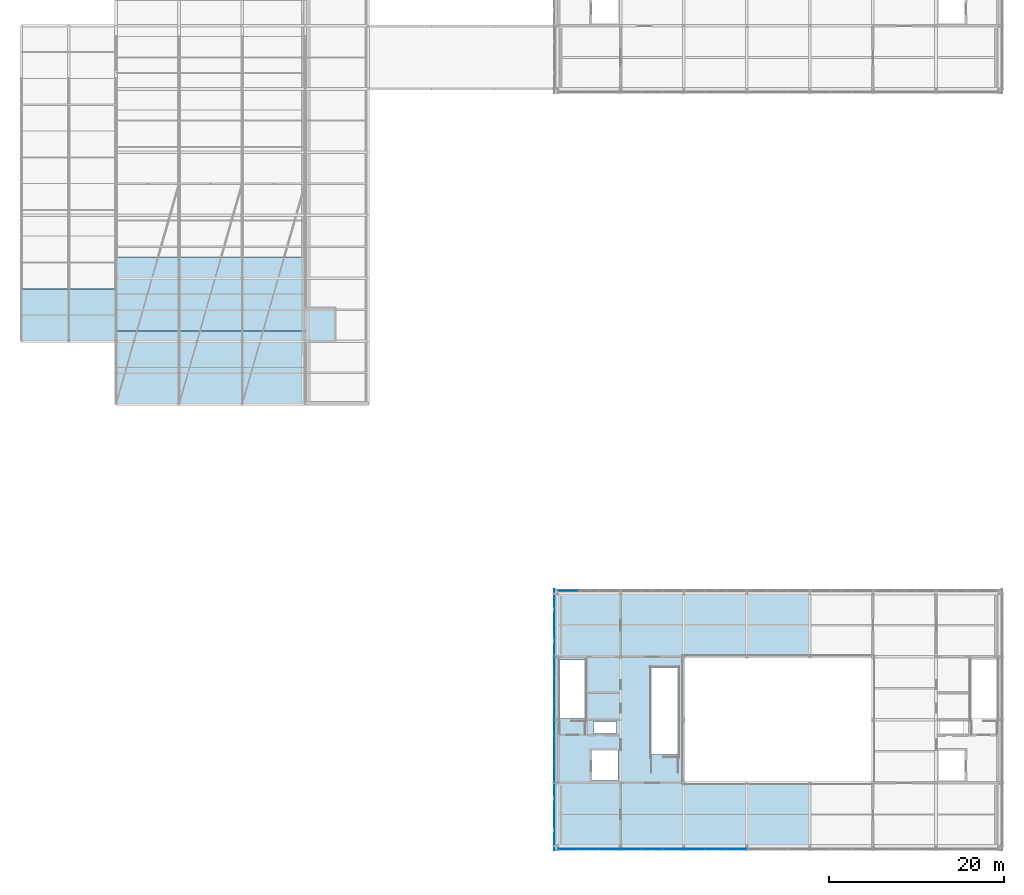
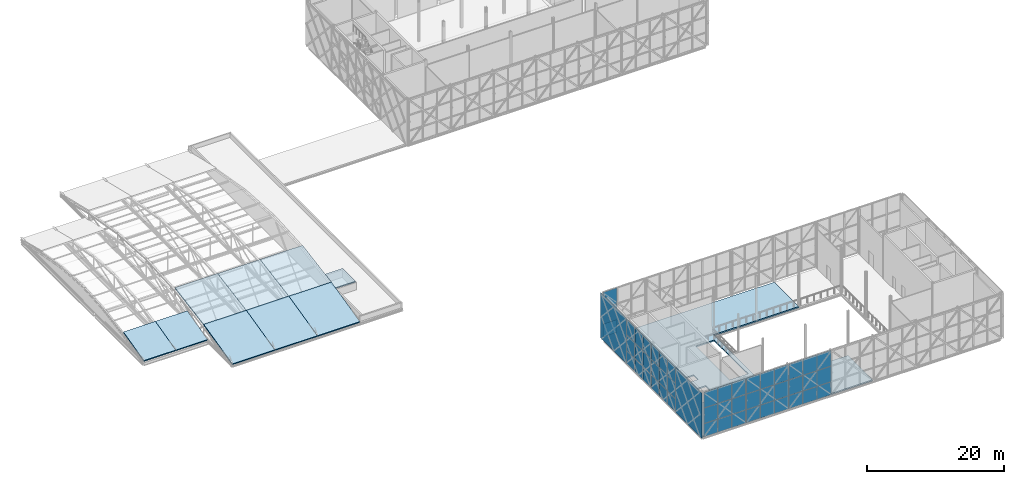
# One storey, part 53 of 76: 50 plates, 10 slabs, 6 elements without a shape of their own.
"""IFC4 building model written with IfcOpenShell, lengths in metres."""

from ifc_helpers import new_model, si_unit, direction, frame, origin, origin_2d, place, context, subcontext, project, spatial, polyline, rectangle, outline, extrude, material, layer, layer_set, type_object, element, aggregate, save


model = new_model("IFC4")

# Units and contexts
model_context = context("Model", 3, precision=1e-05, world=origin(), true_north=direction((0.0, 1.0)))
body_context = subcontext(model_context, "Body", "Model", "MODEL_VIEW")
ifc_project = project(units=[si_unit("LENGTHUNIT", "METRE"), si_unit("AREAUNIT", "SQUARE_METRE"), si_unit("VOLUMEUNIT", "CUBIC_METRE"), si_unit("PLANEANGLEUNIT", "RADIAN"), si_unit("MASSUNIT", "GRAM", prefix="KILO")], contexts=[model_context])

# Site, building, storey
site_placement = place(None, origin())
site = spatial("IfcSite", under=ifc_project, at=site_placement, CompositionType="ELEMENT")
building_placement = place(site_placement, origin())
building = spatial("IfcBuilding", under=site, at=building_placement, Name="Zlatovets Crest Museum", CompositionType="ELEMENT")
storey_placement = place(building_placement, frame((0.0, 0.0, 17.10009765625)))
storey = spatial("IfcBuildingStorey", under=building, at=storey_placement, Name="L04", CompositionType="ELEMENT", Elevation=17.10009765625)

# Curtain wall, plates
ifc_material_1 = material(Name="Bronze-anodised aluminium and low-E triple glass", Category="aluminium")
curtain_wall_type_1 = type_object("IfcCurtainWallType", Name="CW_CW-V2-L04-M0", PredefinedType="NOTDEFINED", material=ifc_material_1)
curtain_wall_1_placement = place(storey_placement, origin())
curtain_wall_1 = element("IfcCurtainWall", 1, at=curtain_wall_1_placement, inside=storey, type_object=curtain_wall_type_1, Name="V2 L04 Secession Foyer Clear Curtain Wall", PredefinedType="NOTDEFINED")
ifc_material_2 = material(Name="Solar-control low-E laminated triple glass", Category="glass")
ifc_layer_1 = layer(ifc_material_2, 0.028076171875)
ifc_layer_set_1 = layer_set([ifc_layer_1], Name="Solar-control low-E laminated triple glass")
plate_type_1 = type_object("IfcPlateType", Name="CWPanel_CW-V2-L04-M0", PredefinedType="CURTAIN_PANEL", material=ifc_layer_set_1)
plate_1_placement = place(storey_placement, frame((58.81494140625, -0.340087890625, 0.059814453125), z_axis=(0.0, 0.0, 1.0), x_axis=(1.0, 0.0, 0.0)))
plate_1 = element("IfcPlate", 2, at=plate_1_placement, type_object=plate_type_1, Name="CW-V2-L04-M0 panel 1.1", PredefinedType="CURTAIN_PANEL", context=body_context, shape_type="SweptSolid", body=[
    extrude(rectangle(XDim=2.31005859375, YDim=0.028076171875, at=origin_2d()), origin(), (0.0, 0.0, 1.0), 2.31005859375),
])
plate_2_placement = place(storey_placement, frame((58.81494140625, -0.340087890625, 2.4296875), z_axis=(0.0, 0.0, 1.0), x_axis=(1.0, 0.0, 0.0)))
plate_2 = element("IfcPlate", 3, at=plate_2_placement, type_object=plate_type_1, Name="CW-V2-L04-M0 panel 1.2", PredefinedType="CURTAIN_PANEL", context=body_context, shape_type="SweptSolid", body=[
    extrude(rectangle(XDim=2.31005859375, YDim=0.028076171875, at=origin_2d()), origin(), (0.0, 0.0, 1.0), 2.739990234375),
])
plate_3_placement = place(storey_placement, frame((58.81494140625, -0.340087890625, 5.22998046875), z_axis=(0.0, 0.0, 1.0), x_axis=(1.0, 0.0, 0.0)))
plate_3 = element("IfcPlate", 4, at=plate_3_placement, type_object=plate_type_1, Name="CW-V2-L04-M0 panel 1.3", PredefinedType="CURTAIN_PANEL", context=body_context, shape_type="SweptSolid", body=[
    extrude(rectangle(XDim=2.31005859375, YDim=0.028076171875, at=origin_2d()), origin(), (0.0, 0.0, 1.0), 2.81005859375),
])
plate_4_placement = place(storey_placement, frame((61.199951171875, -0.340087890625, 0.059814453125), z_axis=(0.0, 0.0, 1.0), x_axis=(1.0, 0.0, 0.0)))
plate_4 = element("IfcPlate", 5, at=plate_4_placement, type_object=plate_type_1, Name="CW-V2-L04-M0 panel 2.1", PredefinedType="CURTAIN_PANEL", context=body_context, shape_type="SweptSolid", body=[
    extrude(rectangle(XDim=2.340087890625, YDim=0.028076171875, at=origin_2d()), origin(), (0.0, 0.0, 1.0), 2.31005859375),
])
plate_5_placement = place(storey_placement, frame((61.199951171875, -0.340087890625, 2.4296875), z_axis=(0.0, 0.0, 1.0), x_axis=(1.0, 0.0, 0.0)))
plate_5 = element("IfcPlate", 6, at=plate_5_placement, type_object=plate_type_1, Name="CW-V2-L04-M0 panel 2.2", PredefinedType="CURTAIN_PANEL", context=body_context, shape_type="SweptSolid", body=[
    extrude(rectangle(XDim=2.340087890625, YDim=0.028076171875, at=origin_2d()), origin(), (0.0, 0.0, 1.0), 2.739990234375),
])
plate_6_placement = place(storey_placement, frame((61.199951171875, -0.340087890625, 5.22998046875), z_axis=(0.0, 0.0, 1.0), x_axis=(1.0, 0.0, 0.0)))
plate_6 = element("IfcPlate", 7, at=plate_6_placement, type_object=plate_type_1, Name="CW-V2-L04-M0 panel 2.3", PredefinedType="CURTAIN_PANEL", context=body_context, shape_type="SweptSolid", body=[
    extrude(rectangle(XDim=2.340087890625, YDim=0.028076171875, at=origin_2d()), origin(), (0.0, 0.0, 1.0), 2.81005859375),
])
plate_7_placement = place(storey_placement, frame((63.5849609375, -0.340087890625, 0.059814453125), z_axis=(0.0, 0.0, 1.0), x_axis=(1.0, 0.0, 0.0)))
plate_7 = element("IfcPlate", 8, at=plate_7_placement, type_object=plate_type_1, Name="CW-V2-L04-M0 panel 3.1", PredefinedType="CURTAIN_PANEL", context=body_context, shape_type="SweptSolid", body=[
    extrude(rectangle(XDim=2.31005859375, YDim=0.028076171875, at=origin_2d()), origin(), (0.0, 0.0, 1.0), 2.31005859375),
])
plate_8_placement = place(storey_placement, frame((63.5849609375, -0.340087890625, 2.4296875), z_axis=(0.0, 0.0, 1.0), x_axis=(1.0, 0.0, 0.0)))
plate_8 = element("IfcPlate", 9, at=plate_8_placement, type_object=plate_type_1, Name="CW-V2-L04-M0 panel 3.2", PredefinedType="CURTAIN_PANEL", context=body_context, shape_type="SweptSolid", body=[
    extrude(rectangle(XDim=2.31005859375, YDim=0.028076171875, at=origin_2d()), origin(), (0.0, 0.0, 1.0), 2.739990234375),
])
plate_9_placement = place(storey_placement, frame((63.5849609375, -0.340087890625, 5.22998046875), z_axis=(0.0, 0.0, 1.0), x_axis=(1.0, 0.0, 0.0)))
plate_9 = element("IfcPlate", 10, at=plate_9_placement, type_object=plate_type_1, Name="CW-V2-L04-M0 panel 3.3", PredefinedType="CURTAIN_PANEL", context=body_context, shape_type="SweptSolid", body=[
    extrude(rectangle(XDim=2.31005859375, YDim=0.028076171875, at=origin_2d()), origin(), (0.0, 0.0, 1.0), 2.81005859375),
])
aggregate(curtain_wall_1, [plate_1, plate_2, plate_3, plate_4, plate_5, plate_6, plate_7, plate_8, plate_9])

curtain_wall_2_placement = place(storey_placement, origin())
curtain_wall_2 = element("IfcCurtainWall", 11, at=curtain_wall_2_placement, inside=storey, type_object=curtain_wall_type_1, Name="V2 L04 Expressed Core Glazed Facade", PredefinedType="NOTDEFINED")
plate_10_placement = place(storey_placement, frame((57.260009765625, 13.18505859375, 0.059814453125), z_axis=(0.0, 0.0, 1.0), x_axis=(0.0, -1.0, 0.0)))
plate_10 = element("IfcPlate", 12, at=plate_10_placement, type_object=plate_type_1, Name="CW-V2-L04-M0 panel 1.1", PredefinedType="CURTAIN_PANEL", context=body_context, shape_type="SweptSolid", body=[
    extrude(rectangle(XDim=2.31005859375, YDim=0.030029296875, at=origin_2d()), origin(), (0.0, 0.0, 1.0), 2.31005859375),
])
plate_11_placement = place(storey_placement, frame((57.260009765625, 13.18505859375, 2.4296875), z_axis=(0.0, 0.0, 1.0), x_axis=(0.0, -1.0, 0.0)))
plate_11 = element("IfcPlate", 13, at=plate_11_placement, type_object=plate_type_1, Name="CW-V2-L04-M0 panel 1.2", PredefinedType="CURTAIN_PANEL", context=body_context, shape_type="SweptSolid", body=[
    extrude(rectangle(XDim=2.31005859375, YDim=0.030029296875, at=origin_2d()), origin(), (0.0, 0.0, 1.0), 2.739990234375),
])
plate_12_placement = place(storey_placement, frame((57.260009765625, 13.18505859375, 5.22998046875), z_axis=(0.0, 0.0, 1.0), x_axis=(0.0, -1.0, 0.0)))
plate_12 = element("IfcPlate", 14, at=plate_12_placement, type_object=plate_type_1, Name="CW-V2-L04-M0 panel 1.3", PredefinedType="CURTAIN_PANEL", context=body_context, shape_type="SweptSolid", body=[
    extrude(rectangle(XDim=2.31005859375, YDim=0.030029296875, at=origin_2d()), origin(), (0.0, 0.0, 1.0), 2.81005859375),
])
plate_13_placement = place(storey_placement, frame((57.260009765625, 10.800048828125, 0.059814453125), z_axis=(0.0, 0.0, 1.0), x_axis=(0.0, -1.0, 0.0)))
plate_13 = element("IfcPlate", 15, at=plate_13_placement, type_object=plate_type_1, Name="CW-V2-L04-M0 panel 2.1", PredefinedType="CURTAIN_PANEL", context=body_context, shape_type="SweptSolid", body=[
    extrude(rectangle(XDim=2.340087890625, YDim=0.030029296875, at=origin_2d()), origin(), (0.0, 0.0, 1.0), 2.31005859375),
])
plate_14_placement = place(storey_placement, frame((57.260009765625, 10.800048828125, 2.4296875), z_axis=(0.0, 0.0, 1.0), x_axis=(0.0, -1.0, 0.0)))
plate_14 = element("IfcPlate", 16, at=plate_14_placement, type_object=plate_type_1, Name="CW-V2-L04-M0 panel 2.2", PredefinedType="CURTAIN_PANEL", context=body_context, shape_type="SweptSolid", body=[
    extrude(rectangle(XDim=2.340087890625, YDim=0.030029296875, at=origin_2d()), origin(), (0.0, 0.0, 1.0), 2.739990234375),
])
plate_15_placement = place(storey_placement, frame((57.260009765625, 10.800048828125, 5.22998046875), z_axis=(0.0, 0.0, 1.0), x_axis=(0.0, -1.0, 0.0)))
plate_15 = element("IfcPlate", 17, at=plate_15_placement, type_object=plate_type_1, Name="CW-V2-L04-M0 panel 2.3", PredefinedType="CURTAIN_PANEL", context=body_context, shape_type="SweptSolid", body=[
    extrude(rectangle(XDim=2.340087890625, YDim=0.030029296875, at=origin_2d()), origin(), (0.0, 0.0, 1.0), 2.81005859375),
])
plate_16_placement = place(storey_placement, frame((57.260009765625, 8.4150390625, 0.059814453125), z_axis=(0.0, 0.0, 1.0), x_axis=(0.0, -1.0, 0.0)))
plate_16 = element("IfcPlate", 18, at=plate_16_placement, type_object=plate_type_1, Name="CW-V2-L04-M0 panel 3.1", PredefinedType="CURTAIN_PANEL", context=body_context, shape_type="SweptSolid", body=[
    extrude(rectangle(XDim=2.31005859375, YDim=0.030029296875, at=origin_2d()), origin(), (0.0, 0.0, 1.0), 2.31005859375),
])
plate_17_placement = place(storey_placement, frame((57.260009765625, 8.4150390625, 2.4296875), z_axis=(0.0, 0.0, 1.0), x_axis=(0.0, -1.0, 0.0)))
plate_17 = element("IfcPlate", 19, at=plate_17_placement, type_object=plate_type_1, Name="CW-V2-L04-M0 panel 3.2", PredefinedType="CURTAIN_PANEL", context=body_context, shape_type="SweptSolid", body=[
    extrude(rectangle(XDim=2.31005859375, YDim=0.030029296875, at=origin_2d()), origin(), (0.0, 0.0, 1.0), 2.739990234375),
])
plate_18_placement = place(storey_placement, frame((57.260009765625, 8.4150390625, 5.22998046875), z_axis=(0.0, 0.0, 1.0), x_axis=(0.0, -1.0, 0.0)))
plate_18 = element("IfcPlate", 20, at=plate_18_placement, type_object=plate_type_1, Name="CW-V2-L04-M0 panel 3.3", PredefinedType="CURTAIN_PANEL", context=body_context, shape_type="SweptSolid", body=[
    extrude(rectangle(XDim=2.31005859375, YDim=0.030029296875, at=origin_2d()), origin(), (0.0, 0.0, 1.0), 2.81005859375),
])
aggregate(curtain_wall_2, [plate_10, plate_11, plate_12, plate_13, plate_14, plate_15, plate_16, plate_17, plate_18])

curtain_wall_type_2 = type_object("IfcCurtainWallType", Name="CW_CW-V2-L04-M1", PredefinedType="NOTDEFINED", material=ifc_material_1)
curtain_wall_3_placement = place(storey_placement, origin())
curtain_wall_3 = element("IfcCurtainWall", 21, at=curtain_wall_3_placement, inside=storey, type_object=curtain_wall_type_2, Name="V2 L04 Secession Foyer Clear Curtain Wall", PredefinedType="NOTDEFINED")
ifc_layer_2 = layer(ifc_material_2, 0.031982421875)
ifc_layer_set_2 = layer_set([ifc_layer_2], Name="Solar-control low-E laminated triple glass")
plate_type_2 = type_object("IfcPlateType", Name="CWPanel_CW-V2-L04-M1", PredefinedType="CURTAIN_PANEL", material=ifc_layer_set_2)
plate_19_placement = place(storey_placement, frame((66.014892578125, -0.340087890625, 0.059814453125), z_axis=(0.0, 0.0, 1.0), x_axis=(1.0, 0.0, 0.0)))
plate_19 = element("IfcPlate", 22, at=plate_19_placement, type_object=plate_type_2, Name="CW-V2-L04-M1 panel 1.1", PredefinedType="CURTAIN_PANEL", context=body_context, shape_type="SweptSolid", body=[
    extrude(rectangle(XDim=2.31005859375, YDim=0.031982421875, at=origin_2d()), origin(), (0.0, 0.0, 1.0), 2.31005859375),
])
plate_20_placement = place(storey_placement, frame((66.014892578125, -0.340087890625, 2.4296875), z_axis=(0.0, 0.0, 1.0), x_axis=(1.0, 0.0, 0.0)))
plate_20 = element("IfcPlate", 23, at=plate_20_placement, type_object=plate_type_2, Name="CW-V2-L04-M1 panel 1.2", PredefinedType="CURTAIN_PANEL", context=body_context, shape_type="SweptSolid", body=[
    extrude(rectangle(XDim=2.31005859375, YDim=0.031982421875, at=origin_2d()), origin(), (0.0, 0.0, 1.0), 2.739990234375),
])
plate_21_placement = place(storey_placement, frame((66.014892578125, -0.340087890625, 5.22998046875), z_axis=(0.0, 0.0, 1.0), x_axis=(1.0, 0.0, 0.0)))
plate_21 = element("IfcPlate", 24, at=plate_21_placement, type_object=plate_type_2, Name="CW-V2-L04-M1 panel 1.3", PredefinedType="CURTAIN_PANEL", context=body_context, shape_type="SweptSolid", body=[
    extrude(rectangle(XDim=2.31005859375, YDim=0.031982421875, at=origin_2d()), origin(), (0.0, 0.0, 1.0), 2.81005859375),
])
plate_22_placement = place(storey_placement, frame((68.39990234375, -0.340087890625, 0.059814453125), z_axis=(0.0, 0.0, 1.0), x_axis=(1.0, 0.0, 0.0)))
plate_22 = element("IfcPlate", 25, at=plate_22_placement, type_object=plate_type_2, Name="CW-V2-L04-M1 panel 2.1", PredefinedType="CURTAIN_PANEL", context=body_context, shape_type="SweptSolid", body=[
    extrude(rectangle(XDim=2.340087890625, YDim=0.031982421875, at=origin_2d()), origin(), (0.0, 0.0, 1.0), 2.31005859375),
])
plate_23_placement = place(storey_placement, frame((68.39990234375, -0.340087890625, 2.4296875), z_axis=(0.0, 0.0, 1.0), x_axis=(1.0, 0.0, 0.0)))
plate_23 = element("IfcPlate", 26, at=plate_23_placement, type_object=plate_type_2, Name="CW-V2-L04-M1 panel 2.2", PredefinedType="CURTAIN_PANEL", context=body_context, shape_type="SweptSolid", body=[
    extrude(rectangle(XDim=2.340087890625, YDim=0.031982421875, at=origin_2d()), origin(), (0.0, 0.0, 1.0), 2.739990234375),
])
plate_24_placement = place(storey_placement, frame((68.39990234375, -0.340087890625, 5.22998046875), z_axis=(0.0, 0.0, 1.0), x_axis=(1.0, 0.0, 0.0)))
plate_24 = element("IfcPlate", 27, at=plate_24_placement, type_object=plate_type_2, Name="CW-V2-L04-M1 panel 2.3", PredefinedType="CURTAIN_PANEL", context=body_context, shape_type="SweptSolid", body=[
    extrude(rectangle(XDim=2.340087890625, YDim=0.031982421875, at=origin_2d()), origin(), (0.0, 0.0, 1.0), 2.81005859375),
])
plate_25_placement = place(storey_placement, frame((70.784912109375, -0.340087890625, 0.059814453125), z_axis=(0.0, 0.0, 1.0), x_axis=(1.0, 0.0, 0.0)))
plate_25 = element("IfcPlate", 28, at=plate_25_placement, type_object=plate_type_2, Name="CW-V2-L04-M1 panel 3.1", PredefinedType="CURTAIN_PANEL", context=body_context, shape_type="SweptSolid", body=[
    extrude(rectangle(XDim=2.31005859375, YDim=0.031982421875, at=origin_2d()), origin(), (0.0, 0.0, 1.0), 2.31005859375),
])
plate_26_placement = place(storey_placement, frame((70.784912109375, -0.340087890625, 2.4296875), z_axis=(0.0, 0.0, 1.0), x_axis=(1.0, 0.0, 0.0)))
plate_26 = element("IfcPlate", 29, at=plate_26_placement, type_object=plate_type_2, Name="CW-V2-L04-M1 panel 3.2", PredefinedType="CURTAIN_PANEL", context=body_context, shape_type="SweptSolid", body=[
    extrude(rectangle(XDim=2.31005859375, YDim=0.031982421875, at=origin_2d()), origin(), (0.0, 0.0, 1.0), 2.739990234375),
])
plate_27_placement = place(storey_placement, frame((70.784912109375, -0.340087890625, 5.22998046875), z_axis=(0.0, 0.0, 1.0), x_axis=(1.0, 0.0, 0.0)))
plate_27 = element("IfcPlate", 30, at=plate_27_placement, type_object=plate_type_2, Name="CW-V2-L04-M1 panel 3.3", PredefinedType="CURTAIN_PANEL", context=body_context, shape_type="SweptSolid", body=[
    extrude(rectangle(XDim=2.31005859375, YDim=0.031982421875, at=origin_2d()), origin(), (0.0, 0.0, 1.0), 2.81005859375),
])
aggregate(curtain_wall_3, [plate_19, plate_20, plate_21, plate_22, plate_23, plate_24, plate_25, plate_26, plate_27])

curtain_wall_4_placement = place(storey_placement, origin())
curtain_wall_4 = element("IfcCurtainWall", 31, at=curtain_wall_4_placement, inside=storey, type_object=curtain_wall_type_2, Name="V2 L04 Secession Foyer Clear Curtain Wall", PredefinedType="NOTDEFINED")
plate_28_placement = place(storey_placement, frame((58.81494140625, 29.139892578125, 0.059814453125), z_axis=(0.0, 0.0, 1.0), x_axis=(-1.0, 0.0, 0.0)))
plate_28 = element("IfcPlate", 32, at=plate_28_placement, type_object=plate_type_2, Name="CW-V2-L04-M1 panel 3.1", PredefinedType="CURTAIN_PANEL", context=body_context, shape_type="SweptSolid", body=[
    extrude(rectangle(XDim=2.31005859375, YDim=0.031982421875, at=origin_2d()), origin(), (0.0, 0.0, 1.0), 2.31005859375),
])
plate_29_placement = place(storey_placement, frame((58.81494140625, 29.139892578125, 2.4296875), z_axis=(0.0, 0.0, 1.0), x_axis=(-1.0, 0.0, 0.0)))
plate_29 = element("IfcPlate", 33, at=plate_29_placement, type_object=plate_type_2, Name="CW-V2-L04-M1 panel 3.2", PredefinedType="CURTAIN_PANEL", context=body_context, shape_type="SweptSolid", body=[
    extrude(rectangle(XDim=2.31005859375, YDim=0.031982421875, at=origin_2d()), origin(), (0.0, 0.0, 1.0), 2.739990234375),
])
plate_30_placement = place(storey_placement, frame((58.81494140625, 29.139892578125, 5.22998046875), z_axis=(0.0, 0.0, 1.0), x_axis=(-1.0, 0.0, 0.0)))
plate_30 = element("IfcPlate", 34, at=plate_30_placement, type_object=plate_type_2, Name="CW-V2-L04-M1 panel 3.3", PredefinedType="CURTAIN_PANEL", context=body_context, shape_type="SweptSolid", body=[
    extrude(rectangle(XDim=2.31005859375, YDim=0.031982421875, at=origin_2d()), origin(), (0.0, 0.0, 1.0), 2.81005859375),
])
aggregate(curtain_wall_4, [plate_28, plate_29, plate_30])

curtain_wall_type_3 = type_object("IfcCurtainWallType", Name="CW_CW-V2-L04-M2", PredefinedType="NOTDEFINED", material=ifc_material_1)
curtain_wall_5_placement = place(storey_placement, origin())
curtain_wall_5 = element("IfcCurtainWall", 35, at=curtain_wall_5_placement, inside=storey, type_object=curtain_wall_type_3, Name="V2 L04 Secession Foyer Clear Curtain Wall", PredefinedType="NOTDEFINED")
ifc_layer_3 = layer(ifc_material_2, 0.035888671875)
ifc_layer_set_3 = layer_set([ifc_layer_3], Name="Solar-control low-E laminated triple glass")
plate_type_3 = type_object("IfcPlateType", Name="CWPanel_CW-V2-L04-M2", PredefinedType="CURTAIN_PANEL", material=ifc_layer_set_3)
plate_31_placement = place(storey_placement, frame((73.215087890625, -0.340087890625, 0.059814453125), z_axis=(0.0, 0.0, 1.0), x_axis=(1.0, 0.0, 0.0)))
plate_31 = element("IfcPlate", 36, at=plate_31_placement, type_object=plate_type_3, Name="CW-V2-L04-M2 panel 1.1", PredefinedType="CURTAIN_PANEL", context=body_context, shape_type="SweptSolid", body=[
    extrude(rectangle(XDim=2.31005859375, YDim=0.035888671875, at=origin_2d()), origin(), (0.0, 0.0, 1.0), 2.31005859375),
])
plate_32_placement = place(storey_placement, frame((73.215087890625, -0.340087890625, 2.4296875), z_axis=(0.0, 0.0, 1.0), x_axis=(1.0, 0.0, 0.0)))
plate_32 = element("IfcPlate", 37, at=plate_32_placement, type_object=plate_type_3, Name="CW-V2-L04-M2 panel 1.2", PredefinedType="CURTAIN_PANEL", context=body_context, shape_type="SweptSolid", body=[
    extrude(rectangle(XDim=2.31005859375, YDim=0.035888671875, at=origin_2d()), origin(), (0.0, 0.0, 1.0), 2.739990234375),
])
plate_33_placement = place(storey_placement, frame((73.215087890625, -0.340087890625, 5.22998046875), z_axis=(0.0, 0.0, 1.0), x_axis=(1.0, 0.0, 0.0)))
plate_33 = element("IfcPlate", 38, at=plate_33_placement, type_object=plate_type_3, Name="CW-V2-L04-M2 panel 1.3", PredefinedType="CURTAIN_PANEL", context=body_context, shape_type="SweptSolid", body=[
    extrude(rectangle(XDim=2.31005859375, YDim=0.035888671875, at=origin_2d()), origin(), (0.0, 0.0, 1.0), 2.81005859375),
])
plate_34_placement = place(storey_placement, frame((75.60009765625, -0.340087890625, 0.059814453125), z_axis=(0.0, 0.0, 1.0), x_axis=(1.0, 0.0, 0.0)))
plate_34 = element("IfcPlate", 39, at=plate_34_placement, type_object=plate_type_3, Name="CW-V2-L04-M2 panel 2.1", PredefinedType="CURTAIN_PANEL", context=body_context, shape_type="SweptSolid", body=[
    extrude(rectangle(XDim=2.340087890625, YDim=0.035888671875, at=origin_2d()), origin(), (0.0, 0.0, 1.0), 2.31005859375),
])
plate_35_placement = place(storey_placement, frame((75.60009765625, -0.340087890625, 2.4296875), z_axis=(0.0, 0.0, 1.0), x_axis=(1.0, 0.0, 0.0)))
plate_35 = element("IfcPlate", 40, at=plate_35_placement, type_object=plate_type_3, Name="CW-V2-L04-M2 panel 2.2", PredefinedType="CURTAIN_PANEL", context=body_context, shape_type="SweptSolid", body=[
    extrude(rectangle(XDim=2.340087890625, YDim=0.035888671875, at=origin_2d()), origin(), (0.0, 0.0, 1.0), 2.739990234375),
])
plate_36_placement = place(storey_placement, frame((75.60009765625, -0.340087890625, 5.22998046875), z_axis=(0.0, 0.0, 1.0), x_axis=(1.0, 0.0, 0.0)))
plate_36 = element("IfcPlate", 41, at=plate_36_placement, type_object=plate_type_3, Name="CW-V2-L04-M2 panel 2.3", PredefinedType="CURTAIN_PANEL", context=body_context, shape_type="SweptSolid", body=[
    extrude(rectangle(XDim=2.340087890625, YDim=0.035888671875, at=origin_2d()), origin(), (0.0, 0.0, 1.0), 2.81005859375),
])
plate_37_placement = place(storey_placement, frame((77.985107421875, -0.340087890625, 0.059814453125), z_axis=(0.0, 0.0, 1.0), x_axis=(1.0, 0.0, 0.0)))
plate_37 = element("IfcPlate", 42, at=plate_37_placement, type_object=plate_type_3, Name="CW-V2-L04-M2 panel 3.1", PredefinedType="CURTAIN_PANEL", context=body_context, shape_type="SweptSolid", body=[
    extrude(rectangle(XDim=2.31005859375, YDim=0.035888671875, at=origin_2d()), origin(), (0.0, 0.0, 1.0), 2.31005859375),
])
plate_38_placement = place(storey_placement, frame((77.985107421875, -0.340087890625, 2.4296875), z_axis=(0.0, 0.0, 1.0), x_axis=(1.0, 0.0, 0.0)))
plate_38 = element("IfcPlate", 43, at=plate_38_placement, type_object=plate_type_3, Name="CW-V2-L04-M2 panel 3.2", PredefinedType="CURTAIN_PANEL", context=body_context, shape_type="SweptSolid", body=[
    extrude(rectangle(XDim=2.31005859375, YDim=0.035888671875, at=origin_2d()), origin(), (0.0, 0.0, 1.0), 2.739990234375),
])
plate_39_placement = place(storey_placement, frame((77.985107421875, -0.340087890625, 5.22998046875), z_axis=(0.0, 0.0, 1.0), x_axis=(1.0, 0.0, 0.0)))
plate_39 = element("IfcPlate", 44, at=plate_39_placement, type_object=plate_type_3, Name="CW-V2-L04-M2 panel 3.3", PredefinedType="CURTAIN_PANEL", context=body_context, shape_type="SweptSolid", body=[
    extrude(rectangle(XDim=2.31005859375, YDim=0.035888671875, at=origin_2d()), origin(), (0.0, 0.0, 1.0), 2.81005859375),
])
aggregate(curtain_wall_5, [plate_31, plate_32, plate_33, plate_34, plate_35, plate_36, plate_37, plate_38, plate_39])

curtain_wall_type_4 = type_object("IfcCurtainWallType", Name="CW_CW-V2-L04-M3", PredefinedType="NOTDEFINED", material=ifc_material_1)
curtain_wall_6_placement = place(storey_placement, origin())
curtain_wall_6 = element("IfcCurtainWall", 45, at=curtain_wall_6_placement, inside=storey, type_object=curtain_wall_type_4, Name="V2 L04 Expressed Core Glazed Facade", PredefinedType="NOTDEFINED")
ifc_layer_4 = layer(ifc_material_2, 0.0400390625)
ifc_layer_set_4 = layer_set([ifc_layer_4], Name="Solar-control low-E laminated triple glass")
plate_type_4 = type_object("IfcPlateType", Name="CWPanel_CW-V2-L04-M3", PredefinedType="CURTAIN_PANEL", material=ifc_layer_set_4)
plate_40_placement = place(storey_placement, frame((57.260009765625, 20.385009765625, 0.059814453125), z_axis=(0.0, 0.0, 1.0), x_axis=(0.0, -1.0, 0.0)))
plate_40 = element("IfcPlate", 46, at=plate_40_placement, type_object=plate_type_4, Name="CW-V2-L04-M3 panel 1.1", PredefinedType="CURTAIN_PANEL", context=body_context, shape_type="SweptSolid", body=[
    extrude(rectangle(XDim=2.31005859375, YDim=0.030029296875, at=origin_2d()), origin(), (0.0, 0.0, 1.0), 2.31005859375),
])
plate_41_placement = place(storey_placement, frame((57.260009765625, 20.385009765625, 2.4296875), z_axis=(0.0, 0.0, 1.0), x_axis=(0.0, -1.0, 0.0)))
plate_41 = element("IfcPlate", 47, at=plate_41_placement, type_object=plate_type_4, Name="CW-V2-L04-M3 panel 1.2", PredefinedType="CURTAIN_PANEL", context=body_context, shape_type="SweptSolid", body=[
    extrude(rectangle(XDim=2.31005859375, YDim=0.030029296875, at=origin_2d()), origin(), (0.0, 0.0, 1.0), 2.739990234375),
])
plate_42_placement = place(storey_placement, frame((57.260009765625, 20.385009765625, 5.22998046875), z_axis=(0.0, 0.0, 1.0), x_axis=(0.0, -1.0, 0.0)))
plate_42 = element("IfcPlate", 48, at=plate_42_placement, type_object=plate_type_4, Name="CW-V2-L04-M3 panel 1.3", PredefinedType="CURTAIN_PANEL", context=body_context, shape_type="SweptSolid", body=[
    extrude(rectangle(XDim=2.31005859375, YDim=0.030029296875, at=origin_2d()), origin(), (0.0, 0.0, 1.0), 2.81005859375),
])
plate_43_placement = place(storey_placement, frame((57.260009765625, 18.0, 0.059814453125), z_axis=(0.0, 0.0, 1.0), x_axis=(0.0, -1.0, 0.0)))
plate_43 = element("IfcPlate", 49, at=plate_43_placement, type_object=plate_type_4, Name="CW-V2-L04-M3 panel 2.1", PredefinedType="CURTAIN_PANEL", context=body_context, shape_type="SweptSolid", body=[
    extrude(rectangle(XDim=2.340087890625, YDim=0.030029296875, at=origin_2d()), origin(), (0.0, 0.0, 1.0), 2.31005859375),
])
plate_44_placement = place(storey_placement, frame((57.260009765625, 18.0, 2.4296875), z_axis=(0.0, 0.0, 1.0), x_axis=(0.0, -1.0, 0.0)))
plate_44 = element("IfcPlate", 50, at=plate_44_placement, type_object=plate_type_4, Name="CW-V2-L04-M3 panel 2.2", PredefinedType="CURTAIN_PANEL", context=body_context, shape_type="SweptSolid", body=[
    extrude(rectangle(XDim=2.340087890625, YDim=0.030029296875, at=origin_2d()), origin(), (0.0, 0.0, 1.0), 2.739990234375),
])
plate_45_placement = place(storey_placement, frame((57.260009765625, 18.0, 5.22998046875), z_axis=(0.0, 0.0, 1.0), x_axis=(0.0, -1.0, 0.0)))
plate_45 = element("IfcPlate", 51, at=plate_45_placement, type_object=plate_type_4, Name="CW-V2-L04-M3 panel 2.3", PredefinedType="CURTAIN_PANEL", context=body_context, shape_type="SweptSolid", body=[
    extrude(rectangle(XDim=2.340087890625, YDim=0.030029296875, at=origin_2d()), origin(), (0.0, 0.0, 1.0), 2.81005859375),
])
plate_46_placement = place(storey_placement, frame((57.260009765625, 15.614990234375, 0.059814453125), z_axis=(0.0, 0.0, 1.0), x_axis=(0.0, -1.0, 0.0)))
plate_46 = element("IfcPlate", 52, at=plate_46_placement, type_object=plate_type_4, Name="CW-V2-L04-M3 panel 3.1", PredefinedType="CURTAIN_PANEL", context=body_context, shape_type="SweptSolid", body=[
    extrude(rectangle(XDim=2.31005859375, YDim=0.030029296875, at=origin_2d()), origin(), (0.0, 0.0, 1.0), 2.31005859375),
])
plate_47_placement = place(storey_placement, frame((57.260009765625, 15.614990234375, 2.4296875), z_axis=(0.0, 0.0, 1.0), x_axis=(0.0, -1.0, 0.0)))
plate_47 = element("IfcPlate", 53, at=plate_47_placement, type_object=plate_type_4, Name="CW-V2-L04-M3 panel 3.2", PredefinedType="CURTAIN_PANEL", context=body_context, shape_type="SweptSolid", body=[
    extrude(rectangle(XDim=2.31005859375, YDim=0.030029296875, at=origin_2d()), origin(), (0.0, 0.0, 1.0), 2.739990234375),
])
plate_48_placement = place(storey_placement, frame((57.260009765625, 15.614990234375, 5.22998046875), z_axis=(0.0, 0.0, 1.0), x_axis=(0.0, -1.0, 0.0)))
plate_48 = element("IfcPlate", 54, at=plate_48_placement, type_object=plate_type_4, Name="CW-V2-L04-M3 panel 3.3", PredefinedType="CURTAIN_PANEL", context=body_context, shape_type="SweptSolid", body=[
    extrude(rectangle(XDim=2.31005859375, YDim=0.030029296875, at=origin_2d()), origin(), (0.0, 0.0, 1.0), 2.81005859375),
])
aggregate(curtain_wall_6, [plate_40, plate_41, plate_42, plate_43, plate_44, plate_45, plate_46, plate_47, plate_48])

# Plates
ifc_material_3 = material(Name="Ceramic-fritted low-E laminated architectural glass", Category="glass")
ifc_layer_5 = layer(ifc_material_3, 0.031982421875)
ifc_layer_set_5 = layer_set([ifc_layer_5], Name="Ceramic-fritted low-E laminated architectural glass")
plate_type_5 = type_object("IfcPlateType", Name="GlazedSpandrel_GSP1", PredefinedType="USERDEFINED", material=ifc_layer_set_5)
for number, where, z_axis, x_axis, name in (
    (55, (57.260009765625, 25.43994140625, -0.000244140625), (0.0, 0.0, 1.0), (0.0, 1.0, 0.0), "V2 L04 Ceramic-Fritted Gallery Glass Skin"),
    (56, (57.260009765625, 3.360107421875, -0.000244140625), (0.0, 0.0, 1.0), (0.0, 1.0, 0.0), "V2 L04 Ceramic-Fritted Gallery Glass Skin"),
):
    element("IfcPlate", number, at=place(storey_placement, frame(where, z_axis=z_axis, x_axis=x_axis)), inside=storey, type_object=plate_type_5, Name=name, ObjectType="GLAZED_SPANDREL", PredefinedType="USERDEFINED", context=body_context, shape_type="SweptSolid", body=[
        extrude(rectangle(XDim=7.679931640625, YDim=0.031982421875, at=origin_2d()), origin(), (0.0, 0.0, 1.0), 8.10009765625),
    ])

# Slabs
ifc_material_4 = material(Name="Concrete C30/37", Category="concrete")
ifc_layer_6 = layer(ifc_material_4, 0.239990234375)
ifc_layer_set_6 = layer_set([ifc_layer_6], Name="Concrete C30/37")
slab_type_1 = type_object("IfcSlabType", Name="Slab_FS-03", PredefinedType="FLOOR", material=ifc_layer_set_6)
slab_1_placement = place(storey_placement, frame((0.0, 0.0, -0.239990234375)))
element("IfcSlab", 57, at=slab_1_placement, inside=storey, type_object=slab_type_1, Name="V2 L04 Structural Slab Panel 1", PredefinedType="FLOOR", context=body_context, shape_type="SweptSolid", body=[
    extrude(outline(polyline([(57.60009765625, 0.0), (57.60009765625, 28.800048828125), (86.39990234375, 28.800048828125), (86.39990234375, 21.60009765625), (72.0, 21.60009765625), (72.0, 7.199951171875), (86.39990234375, 7.199951171875), (86.39990234375, 0.0), (57.60009765625, 0.0)]), holes=[polyline([(57.800048828125, 14.5400390625), (60.800048828125, 14.5400390625), (60.800048828125, 21.199951171875), (57.800048828125, 21.199951171875), (57.800048828125, 14.5400390625)]), polyline([(71.39990234375, 20.39990234375), (68.25, 20.39990234375), (68.25, 10.43994140625), (71.39990234375, 10.43994140625), (71.39990234375, 20.39990234375)]), polyline([(64.5, 7.5), (64.5, 10.89990234375), (61.449951171875, 10.89990234375), (61.449951171875, 7.5), (64.5, 7.5)]), polyline([(61.699951171875, 12.85009765625), (64.35009765625, 12.85009765625), (64.35009765625, 14.199951171875), (61.699951171875, 14.199951171875), (61.699951171875, 12.85009765625)])]), origin(), (0.0, 0.0, 1.0), 0.239990234375),
])
ifc_layer_7 = layer(ifc_material_4, 0.219970703125)
ifc_layer_set_7 = layer_set([ifc_layer_7], Name="Concrete C30/37")
slab_type_2 = type_object("IfcSlabType", Name="Slab_RS-02", PredefinedType="ROOF", material=ifc_layer_set_7)
slab_2_placement = place(storey_placement, frame((7.199951171875, 50.39990234375, 0.0), z_axis=(0.0, -0.231616704918, 0.97280712477), x_axis=(1.0, 0.0, 0.0)))
element("IfcSlab", 58, at=slab_2_placement, inside=storey, type_object=slab_type_2, Name="V4 Art Nouveau Barrel Vault Shell Facet", PredefinedType="ROOF", context=body_context, shape_type="SweptSolid", body=[
    extrude(outline(polyline([(0.0, 0.0), (7.199951171875, 0.0), (7.199951171875, 8.634955758946173), (0.0, 8.634955758946173), (0.0, 0.0)])), origin(), (0.0, 0.0, -1.0), 0.219970703125),
])
slab_3_placement = place(storey_placement, frame((7.199951171875, 58.800048828125, 2.0), z_axis=(0.0, -0.171712130766, 0.985147168776), x_axis=(1.0, 0.0, 0.0)))
element("IfcSlab", 59, at=slab_3_placement, inside=storey, type_object=slab_type_2, Name="V4 Art Nouveau Barrel Vault Shell Facet", PredefinedType="ROOF", context=body_context, shape_type="SweptSolid", body=[
    extrude(outline(polyline([(0.0, 0.0), (7.199951171875, 0.0), (7.199951171875, 8.52654568777302), (0.0, 8.52654568777302), (0.0, 0.0)])), origin(), (0.0, 0.0, -1.0), 0.219970703125),
])
slab_4_placement = place(storey_placement, frame((14.39990234375, 50.39990234375, 0.0), z_axis=(0.0, -0.231616704918, 0.97280712477), x_axis=(1.0, 0.0, 0.0)))
element("IfcSlab", 60, at=slab_4_placement, inside=storey, type_object=slab_type_2, Name="V4 Art Nouveau Barrel Vault Shell Facet", PredefinedType="ROOF", context=body_context, shape_type="SweptSolid", body=[
    extrude(outline(polyline([(0.0, 0.0), (7.2001953125, 0.0), (7.2001953125, 8.634955758946173), (0.0, 8.634955758946173), (0.0, 0.0)])), origin(), (0.0, 0.0, -1.0), 0.219970703125),
])
slab_5_placement = place(storey_placement, frame((14.39990234375, 58.800048828125, 2.0), z_axis=(0.0, -0.171712130766, 0.985147168776), x_axis=(1.0, 0.0, 0.0)))
element("IfcSlab", 61, at=slab_5_placement, inside=storey, type_object=slab_type_2, Name="V4 Art Nouveau Barrel Vault Shell Facet", PredefinedType="ROOF", context=body_context, shape_type="SweptSolid", body=[
    extrude(outline(polyline([(0.0, 0.0), (7.2001953125, 0.0), (7.2001953125, 8.52654568777302), (0.0, 8.52654568777302), (0.0, 0.0)])), origin(), (0.0, 0.0, -1.0), 0.219970703125),
])
slab_6_placement = place(storey_placement, frame((21.60009765625, 50.39990234375, 0.0), z_axis=(0.0, -0.231616704918, 0.97280712477), x_axis=(1.0, 0.0, 0.0)))
element("IfcSlab", 62, at=slab_6_placement, inside=storey, type_object=slab_type_2, Name="V4 Art Nouveau Barrel Vault Shell Facet", PredefinedType="ROOF", context=body_context, shape_type="SweptSolid", body=[
    extrude(outline(polyline([(0.0, 0.0), (7.199951171875, 0.0), (7.199951171875, 8.634955758946173), (0.0, 8.634955758946173), (0.0, 0.0)])), origin(), (0.0, 0.0, -1.0), 0.219970703125),
])
slab_7_placement = place(storey_placement, frame((21.60009765625, 58.800048828125, 2.0), z_axis=(0.0, -0.171712130766, 0.985147168776), x_axis=(1.0, 0.0, 0.0)))
element("IfcSlab", 63, at=slab_7_placement, inside=storey, type_object=slab_type_2, Name="V4 Art Nouveau Barrel Vault Shell Facet", PredefinedType="ROOF", context=body_context, shape_type="SweptSolid", body=[
    extrude(outline(polyline([(0.0, 0.0), (7.199951171875, 0.0), (7.199951171875, 8.52654568777302), (0.0, 8.52654568777302), (0.0, 0.0)])), origin(), (0.0, 0.0, -1.0), 0.219970703125),
])
slab_8_placement = place(storey_placement, frame((-3.60009765625, 57.60009765625, 0.0), z_axis=(0.0, -0.242535625036, 0.970142500145), x_axis=(1.0, 0.0, 0.0)))
element("IfcSlab", 64, at=slab_8_placement, inside=storey, type_object=slab_type_2, Name="V4 Art Nouveau Barrel Vault Shell Facet", PredefinedType="ROOF", context=body_context, shape_type="SweptSolid", body=[
    extrude(outline(polyline([(0.0, 0.0), (5.400146484375, 0.0), (5.400146484375, 6.18465843842649), (0.0, 6.18465843842649), (0.0, 0.0)])), origin(), (0.0, 0.0, -1.0), 0.219970703125),
])
slab_9_placement = place(storey_placement, frame((1.800048828125, 57.60009765625, 0.0), z_axis=(0.0, -0.242535625036, 0.970142500145), x_axis=(1.0, 0.0, 0.0)))
element("IfcSlab", 65, at=slab_9_placement, inside=storey, type_object=slab_type_2, Name="V4 Art Nouveau Barrel Vault Shell Facet", PredefinedType="ROOF", context=body_context, shape_type="SweptSolid", body=[
    extrude(outline(polyline([(0.0, 0.0), (5.39990234375, 0.0), (5.39990234375, 6.184658438426491), (0.0, 6.184658438426491), (0.0, 0.0)])), origin(), (0.0, 0.0, -1.0), 0.219970703125),
])
ifc_layer_8 = layer(ifc_material_4, 0.179931640625)
ifc_layer_set_8 = layer_set([ifc_layer_8], Name="Concrete C30/37")
slab_type_3 = type_object("IfcSlabType", Name="Slab_RS-05", PredefinedType="ROOF", material=ifc_layer_set_8)
slab_10_placement = place(storey_placement, frame((0.0, 0.0, 1.5)))
element("IfcSlab", 66, at=slab_10_placement, inside=storey, type_object=slab_type_3, Name="Lift PL2 Overrun Roof Slab", PredefinedType="ROOF", context=body_context, shape_type="SweptSolid", body=[
    extrude(outline(polyline([(28.800048828125, 57.60009765625), (32.199951171875, 57.60009765625), (32.199951171875, 61.39990234375), (28.800048828125, 61.39990234375), (28.800048828125, 57.60009765625)])), origin(), (0.0, 0.0, 1.0), 0.179931640625),
])

save(model, "model.ifc")
